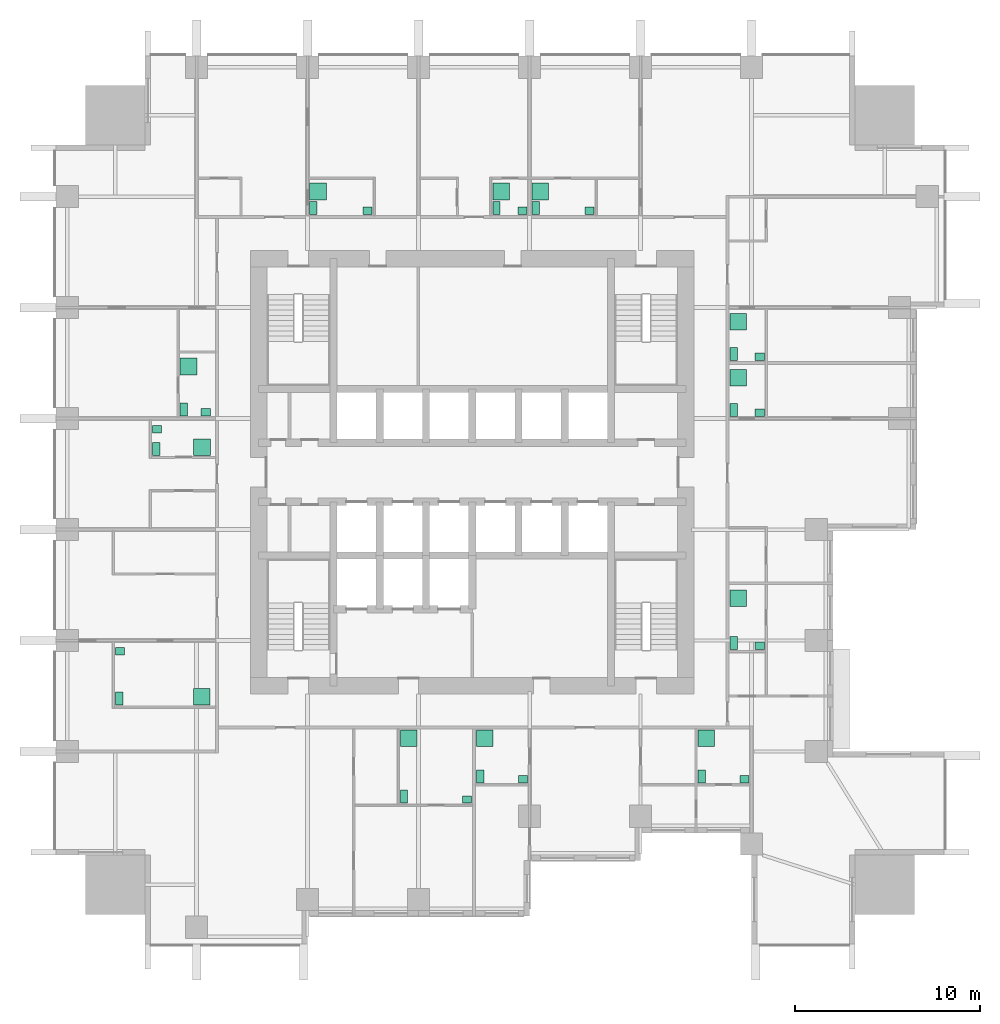
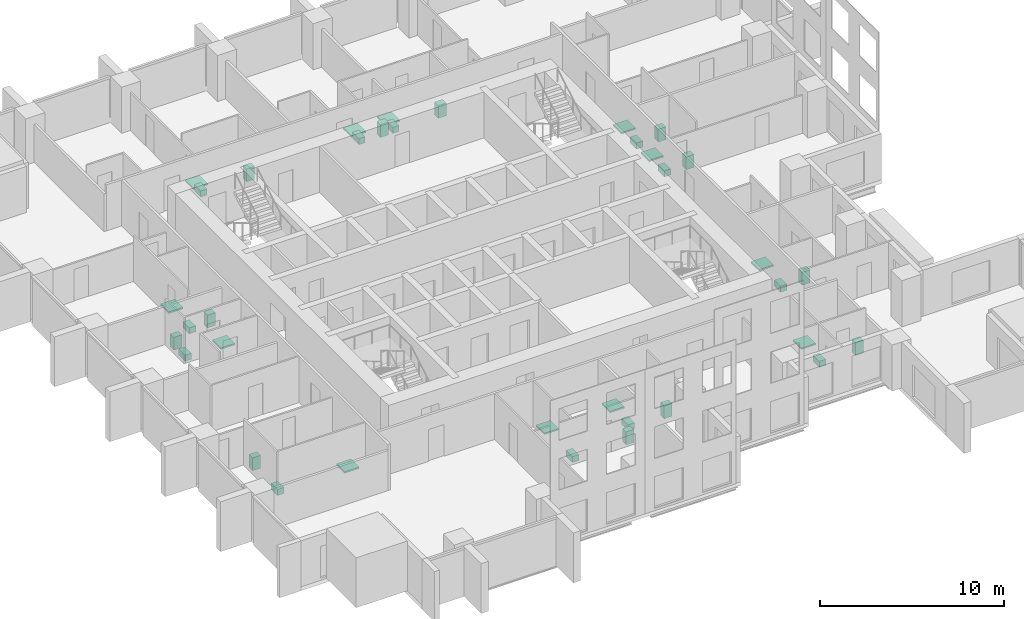
# One storey, part 11 of 11: 36 sanitary terminals.
"""IFC4 building model written with IfcOpenShell, lengths in metres."""

import ifcopenshell
import ifcopenshell.guid

model = None  # the IFC model being written
_history = None  # IfcOwnerHistory: only IFC2X3 demands one
_inside = {}  # id of a spatial element -> (the spatial element, [elements in it])
_under = {}  # id of a project, library or spatial element -> (it, [spatial elements below it])
_declared = {}  # id of a project -> (the project, [libraries it declares])
_typed = {}  # id of a type object -> (the type object, [elements of that type])
_made_of = {}  # id of a material, layer set ... -> (it, [elements and type objects made of it])


def new_model(schema):
    """Start an empty IFC model of exactly this schema.

    Asked for "IFC4X3", IfcOpenShell would pick the latest addendum, in which some entities
    have other attributes; the version numbers below select the first issue.
    IFC2X3 requires an IfcOwnerHistory on every rooted entity: one is made here for all.
    """
    global model, _history
    if schema == "IFC4X3":
        model = ifcopenshell.file(schema_version=(4, 3, 0, 0))
    else:
        model = ifcopenshell.file(schema=schema)
    _inside.clear()
    _under.clear()
    _declared.clear()
    _typed.clear()
    _made_of.clear()
    _history = None
    if model.schema == "IFC2X3":
        org = make("IfcOrganization", Name="unknown")
        user = make(
            "IfcPersonAndOrganization",
            ThePerson=make("IfcPerson", FamilyName="unknown"),
            TheOrganization=org,
        )
        app = make(
            "IfcApplication",
            ApplicationDeveloper=org,
            Version="unknown",
            ApplicationFullName="unknown",
            ApplicationIdentifier="unknown",
        )
        _history = make(
            "IfcOwnerHistory",
            OwningUser=user,
            OwningApplication=app,
            ChangeAction="ADDED",
            CreationDate=0,
        )
    return model


def make(cls, **values):
    """One entity of the class cls with the attributes given. An attribute that is None is left unset."""
    return model.create_entity(
        cls, **{name: value for name, value in values.items() if value is not None}
    )


def rooted(cls, **values):
    """An entity with a GlobalId (a new one), such as an element, a storey or a relation."""
    return make(cls, GlobalId=ifcopenshell.guid.new(), OwnerHistory=_history, **values)


def si_unit(unit_type, name, prefix=None):
    """IfcSIUnit, for example si_unit("LENGTHUNIT", "METRE", prefix="MILLI")."""
    return make("IfcSIUnit", UnitType=unit_type, Prefix=prefix, Name=name)


def assignment(units):
    """IfcUnitAssignment: the units of a project."""
    return None if units is None else make("IfcUnitAssignment", Units=units)


def point(xyz):
    """IfcCartesianPoint."""
    return None if xyz is None else make("IfcCartesianPoint", Coordinates=xyz)


def direction(xyz):
    """IfcDirection."""
    return None if xyz is None else make("IfcDirection", DirectionRatios=xyz)


def frame(location, z_axis=None, x_axis=None):
    """IfcAxis2Placement3D, a coordinate frame: its origin and axes. An axis left out is left unset."""
    return make(
        "IfcAxis2Placement3D",
        Location=point(location),
        Axis=direction(z_axis),
        RefDirection=direction(x_axis),
    )


def frame_2d(location, x_axis=None):
    """IfcAxis2Placement2D, a coordinate frame in the plane: its origin and x axis."""
    return make(
        "IfcAxis2Placement2D", Location=point(location), RefDirection=direction(x_axis)
    )


def origin():
    """The frame at (0, 0, 0) with its axes left unset."""
    return frame((0.0, 0.0, 0.0))


def origin_2d():
    """The frame at (0, 0) in the plane with its x axis left unset."""
    return frame_2d((0.0, 0.0))


def place(relative_to, where):
    """IfcLocalPlacement: puts the frame where relative to a parent placement (None: the world)."""
    return make(
        "IfcLocalPlacement", PlacementRelTo=relative_to, RelativePlacement=where
    )


def context(
    kind, dimensions, precision=None, world=None, true_north=None, identifier=None
):
    """IfcGeometricRepresentationContext, for example the 3D "Model" context."""
    return make(
        "IfcGeometricRepresentationContext",
        ContextIdentifier=identifier,
        ContextType=kind,
        CoordinateSpaceDimension=dimensions,
        Precision=precision,
        WorldCoordinateSystem=world,
        TrueNorth=true_north,
    )


def subcontext(parent, identifier, kind, view, scale=None):
    """IfcGeometricRepresentationSubContext, for example "Body" below "Model"."""
    return make(
        "IfcGeometricRepresentationSubContext",
        ContextIdentifier=identifier,
        ContextType=kind,
        ParentContext=parent,
        TargetScale=scale,
        TargetView=view,
    )


def project(units=None, contexts=None):
    """IfcProject with its units and contexts."""
    return rooted(
        "IfcProject",
        Name="project",
        RepresentationContexts=contexts,
        UnitsInContext=assignment(units),
    )


def spatial(cls, under=None, at=None, **own):
    """A site, building, storey or space (cls), placed at a placement, below another one or the project."""
    s = rooted(cls, ObjectPlacement=at, **own)
    if under is not None:
        _under.setdefault(under.id(), (under, []))[1].append(s)
    return s


def profile(cls, at=None, kind="AREA", **sizes):
    """A parametric profile (cls). Its sizes go by their IFC names, for example OverallWidth=200.0."""
    return make(cls, ProfileType=kind, Position=at, **sizes)


def rectangle(**sizes):
    """IfcRectangleProfileDef."""
    return profile("IfcRectangleProfileDef", **sizes)


def extrude(swept, where, along, depth):
    """IfcExtrudedAreaSolid: the profile swept, set in the frame where, extruded along a direction by depth."""
    return make(
        "IfcExtrudedAreaSolid",
        SweptArea=swept,
        Position=where,
        ExtrudedDirection=direction(along),
        Depth=depth,
    )


def shape(context_of_items, identifier, shape_type, items):
    """IfcShapeRepresentation: the items that make up one representation, for example the "Body"."""
    return make(
        "IfcShapeRepresentation",
        ContextOfItems=context_of_items,
        RepresentationIdentifier=identifier,
        RepresentationType=shape_type,
        Items=items,
    )


def made_of(thing, what):
    """Note that an element or type object is made of a material, layer set ...; save() writes the relation."""
    if what is not None:
        _made_of.setdefault(what.id(), (what, []))[1].append(thing)
    return thing


def element(
    cls,
    number,
    at=None,
    inside=None,
    cuts=None,
    type_object=None,
    material=None,
    context=None,
    identifier="Body",
    shape_type=None,
    held_by="IfcProductDefinitionShape",
    body=None,
    shapes=None,
    **own,
):
    """One element of the class cls, such as IfcWall. Its Tag is "e" and its number.

    at: its placement. inside: the storey or other place that contains it. cuts: it is an
    opening in that element (IfcRelVoidsElement). A single representation is given by context,
    identifier, shape_type and body (its items); several are given by shapes. held_by: the class
    of the entity that holds the representations. save() writes the other relations.
    """
    e = rooted(cls, Tag="e%d" % number, ObjectPlacement=at, **own)
    if body is not None:
        shapes = [shape(context, identifier, shape_type, body)]
    if shapes is not None:
        e.Representation = make(held_by, Representations=shapes)
    if inside is not None:
        _inside.setdefault(inside.id(), (inside, []))[1].append(e)
    if cuts is not None:
        rooted(
            "IfcRelVoidsElement", RelatingBuildingElement=cuts, RelatedOpeningElement=e
        )
    if type_object is not None:
        _typed.setdefault(type_object.id(), (type_object, []))[1].append(e)
    return made_of(e, material)


def aggregate(whole, parts):
    """IfcRelAggregates: a whole, such as a stair, and the parts it consists of."""
    return rooted("IfcRelAggregates", RelatingObject=whole, RelatedObjects=parts)


def save(model, path):
    """Write the relations noted so far, then the file.

    IfcRelAggregates (storeys below a building ...), IfcRelContainedInSpatialStructure (elements
    in a storey), IfcRelDefinesByType, IfcRelAssociatesMaterial and IfcRelDeclares: one each for
    every whole, place, type object, material and project.
    """
    for whole, parts in _under.values():
        aggregate(whole, parts)
    for where, things in _inside.values():
        rooted(
            "IfcRelContainedInSpatialStructure",
            RelatedElements=things,
            RelatingStructure=where,
        )
    for kind, things in _typed.values():
        rooted("IfcRelDefinesByType", RelatedObjects=things, RelatingType=kind)
    for what, things in _made_of.values():
        rooted("IfcRelAssociatesMaterial", RelatedObjects=things, RelatingMaterial=what)
    for by, libraries in _declared.values():
        rooted("IfcRelDeclares", RelatingContext=by, RelatedDefinitions=libraries)
    model.write(path)


model = new_model("IFC4")

# Units and contexts
model_context = context("Model", 3, precision=1e-05, world=origin(), true_north=direction((0.0, 1.0)))
body_context = subcontext(model_context, "Body", "Model", "MODEL_VIEW")
ifc_project = project(units=[si_unit("LENGTHUNIT", "METRE"), si_unit("AREAUNIT", "SQUARE_METRE"), si_unit("VOLUMEUNIT", "CUBIC_METRE"), si_unit("PLANEANGLEUNIT", "RADIAN"), si_unit("MASSUNIT", "GRAM", prefix="KILO")], contexts=[model_context])

# Site, building, storey
site_placement = place(None, origin())
site = spatial("IfcSite", under=ifc_project, at=site_placement, CompositionType="ELEMENT")
building_placement = place(site_placement, origin())
building = spatial("IfcBuilding", under=site, at=building_placement, Name="Amberfall Residences", CompositionType="ELEMENT")
storey_placement = place(building_placement, frame((0.0, 0.0, 59.800048828125)))
storey = spatial("IfcBuildingStorey", under=building, at=storey_placement, Name="L16", CompositionType="ELEMENT", Elevation=59.800048828125)

# Sanitary terminals
sanitary_terminal_1_placement = place(storey_placement, frame((70.81005859375, 27.9599609375, 0.0), z_axis=(0.0, 0.0, 1.0), x_axis=(1.0, 0.0, 0.0)))
element("IfcSanitaryTerminal", 1, at=sanitary_terminal_1_placement, inside=storey, Name="Water closet 1601", PredefinedType="TOILETPAN", context=body_context, shape_type="SweptSolid", body=[
    extrude(rectangle(XDim=0.39990234375, YDim=0.699951171875, at=origin_2d()), origin(), (0.0, 0.0, 1.0), 0.39990234375),
])
sanitary_terminal_2_placement = place(storey_placement, frame((74.215087890625, 27.81005859375, 0.0), z_axis=(0.0, 0.0, 1.0), x_axis=(1.0, 0.0, 0.0)))
element("IfcSanitaryTerminal", 2, at=sanitary_terminal_2_placement, inside=storey, Name="Basin 1601", PredefinedType="WASHHANDBASIN", context=body_context, shape_type="SweptSolid", body=[
    extrude(rectangle(XDim=0.5, YDim=0.39990234375, at=origin_2d()), origin(), (0.0, 0.0, 1.0), 0.85009765625),
])
sanitary_terminal_3_placement = place(storey_placement, frame((71.06005859375, 31.114990234375, 0.0), z_axis=(0.0, 0.0, 1.0), x_axis=(1.0, 0.0, 0.0)))
element("IfcSanitaryTerminal", 3, at=sanitary_terminal_3_placement, inside=storey, Name="Shower tray 1601", PredefinedType="SHOWER", context=body_context, shape_type="SweptSolid", body=[
    extrude(rectangle(XDim=0.89990234375, YDim=0.89990234375, at=origin_2d()), origin(), (0.0, 0.0, 1.0), 0.10009765625),
])
sanitary_terminal_4_placement = place(storey_placement, frame((74.93505859375, 29.06005859375, 0.0), z_axis=(0.0, 0.0, 1.0), x_axis=(1.0, 0.0, 0.0)))
element("IfcSanitaryTerminal", 4, at=sanitary_terminal_4_placement, inside=storey, Name="Water closet 1602", PredefinedType="TOILETPAN", context=body_context, shape_type="SweptSolid", body=[
    extrude(rectangle(XDim=0.39990234375, YDim=0.699951171875, at=origin_2d()), origin(), (0.0, 0.0, 1.0), 0.39990234375),
])
sanitary_terminal_5_placement = place(storey_placement, frame((77.239990234375, 28.909912109375, 0.0), z_axis=(0.0, 0.0, 1.0), x_axis=(1.0, 0.0, 0.0)))
element("IfcSanitaryTerminal", 5, at=sanitary_terminal_5_placement, inside=storey, Name="Basin 1602", PredefinedType="WASHHANDBASIN", context=body_context, shape_type="SweptSolid", body=[
    extrude(rectangle(XDim=0.5, YDim=0.39990234375, at=origin_2d()), origin(), (0.0, 0.0, 1.0), 0.85009765625),
])
sanitary_terminal_6_placement = place(storey_placement, frame((75.18505859375, 31.114990234375, 0.0), z_axis=(0.0, 0.0, 1.0), x_axis=(1.0, 0.0, 0.0)))
element("IfcSanitaryTerminal", 6, at=sanitary_terminal_6_placement, inside=storey, Name="Shower tray 1602", PredefinedType="SHOWER", context=body_context, shape_type="SweptSolid", body=[
    extrude(rectangle(XDim=0.89990234375, YDim=0.89990234375, at=origin_2d()), origin(), (0.0, 0.0, 1.0), 0.10009765625),
])
sanitary_terminal_7_placement = place(storey_placement, frame((86.909912109375, 29.06005859375, 0.0), z_axis=(0.0, 0.0, 1.0), x_axis=(1.0, 0.0, 0.0)))
element("IfcSanitaryTerminal", 7, at=sanitary_terminal_7_placement, inside=storey, Name="Water closet 1602", PredefinedType="TOILETPAN", context=body_context, shape_type="SweptSolid", body=[
    extrude(rectangle(XDim=0.39990234375, YDim=0.699951171875, at=origin_2d()), origin(), (0.0, 0.0, 1.0), 0.39990234375),
])
sanitary_terminal_8_placement = place(storey_placement, frame((89.215087890625, 28.909912109375, 0.0), z_axis=(0.0, 0.0, 1.0), x_axis=(1.0, 0.0, 0.0)))
element("IfcSanitaryTerminal", 8, at=sanitary_terminal_8_placement, inside=storey, Name="Basin 1602", PredefinedType="WASHHANDBASIN", context=body_context, shape_type="SweptSolid", body=[
    extrude(rectangle(XDim=0.5, YDim=0.39990234375, at=origin_2d()), origin(), (0.0, 0.0, 1.0), 0.85009765625),
])
sanitary_terminal_9_placement = place(storey_placement, frame((87.159912109375, 31.114990234375, 0.0), z_axis=(0.0, 0.0, 1.0), x_axis=(1.0, 0.0, 0.0)))
element("IfcSanitaryTerminal", 9, at=sanitary_terminal_9_placement, inside=storey, Name="Shower tray 1602", PredefinedType="SHOWER", context=body_context, shape_type="SweptSolid", body=[
    extrude(rectangle(XDim=0.89990234375, YDim=0.89990234375, at=origin_2d()), origin(), (0.0, 0.0, 1.0), 0.10009765625),
])
sanitary_terminal_10_placement = place(storey_placement, frame((88.635009765625, 36.260009765625, 0.0), z_axis=(0.0, 0.0, 1.0), x_axis=(1.0, 0.0, 0.0)))
element("IfcSanitaryTerminal", 10, at=sanitary_terminal_10_placement, inside=storey, Name="Water closet 1603", PredefinedType="TOILETPAN", context=body_context, shape_type="SweptSolid", body=[
    extrude(rectangle(XDim=0.39990234375, YDim=0.699951171875, at=origin_2d()), origin(), (0.0, 0.0, 1.0), 0.39990234375),
])
sanitary_terminal_11_placement = place(storey_placement, frame((90.0400390625, 36.110107421875, 0.0), z_axis=(0.0, 0.0, 1.0), x_axis=(1.0, 0.0, 0.0)))
element("IfcSanitaryTerminal", 11, at=sanitary_terminal_11_placement, inside=storey, Name="Basin 1603", PredefinedType="WASHHANDBASIN", context=body_context, shape_type="SweptSolid", body=[
    extrude(rectangle(XDim=0.5, YDim=0.39990234375, at=origin_2d()), origin(), (0.0, 0.0, 1.0), 0.85009765625),
])
sanitary_terminal_12_placement = place(storey_placement, frame((88.885009765625, 38.6826171875, 0.0), z_axis=(0.0, 0.0, 1.0), x_axis=(1.0, 0.0, 0.0)))
element("IfcSanitaryTerminal", 12, at=sanitary_terminal_12_placement, inside=storey, Name="Shower tray 1603", PredefinedType="SHOWER", context=body_context, shape_type="SweptSolid", body=[
    extrude(rectangle(XDim=0.89990234375, YDim=0.89990234375, at=origin_2d()), origin(), (0.0, 0.0, 1.0), 0.10009765625),
])
sanitary_terminal_13_placement = place(storey_placement, frame((88.635009765625, 48.860107421875, 0.0), z_axis=(0.0, 0.0, 1.0), x_axis=(1.0, 0.0, 0.0)))
element("IfcSanitaryTerminal", 13, at=sanitary_terminal_13_placement, inside=storey, Name="Water closet 1604", PredefinedType="TOILETPAN", context=body_context, shape_type="SweptSolid", body=[
    extrude(rectangle(XDim=0.39990234375, YDim=0.699951171875, at=origin_2d()), origin(), (0.0, 0.0, 1.0), 0.39990234375),
])
sanitary_terminal_14_placement = place(storey_placement, frame((90.0400390625, 48.7099609375, 0.0), z_axis=(0.0, 0.0, 1.0), x_axis=(1.0, 0.0, 0.0)))
element("IfcSanitaryTerminal", 14, at=sanitary_terminal_14_placement, inside=storey, Name="Basin 1604", PredefinedType="WASHHANDBASIN", context=body_context, shape_type="SweptSolid", body=[
    extrude(rectangle(XDim=0.5, YDim=0.39990234375, at=origin_2d()), origin(), (0.0, 0.0, 1.0), 0.85009765625),
])
sanitary_terminal_15_placement = place(storey_placement, frame((88.885009765625, 50.60888671875, 0.0), z_axis=(0.0, 0.0, 1.0), x_axis=(1.0, 0.0, 0.0)))
element("IfcSanitaryTerminal", 15, at=sanitary_terminal_15_placement, inside=storey, Name="Shower tray 1604", PredefinedType="SHOWER", context=body_context, shape_type="SweptSolid", body=[
    extrude(rectangle(XDim=0.89990234375, YDim=0.89990234375, at=origin_2d()), origin(), (0.0, 0.0, 1.0), 0.10009765625),
])
sanitary_terminal_16_placement = place(storey_placement, frame((88.635009765625, 51.885009765625, 0.0), z_axis=(0.0, 0.0, 1.0), x_axis=(1.0, 0.0, 0.0)))
element("IfcSanitaryTerminal", 16, at=sanitary_terminal_16_placement, inside=storey, Name="Water closet 1605", PredefinedType="TOILETPAN", context=body_context, shape_type="SweptSolid", body=[
    extrude(rectangle(XDim=0.39990234375, YDim=0.699951171875, at=origin_2d()), origin(), (0.0, 0.0, 1.0), 0.39990234375),
])
sanitary_terminal_17_placement = place(storey_placement, frame((90.0400390625, 51.735107421875, 0.0), z_axis=(0.0, 0.0, 1.0), x_axis=(1.0, 0.0, 0.0)))
element("IfcSanitaryTerminal", 17, at=sanitary_terminal_17_placement, inside=storey, Name="Basin 1605", PredefinedType="WASHHANDBASIN", context=body_context, shape_type="SweptSolid", body=[
    extrude(rectangle(XDim=0.5, YDim=0.39990234375, at=origin_2d()), origin(), (0.0, 0.0, 1.0), 0.85009765625),
])
sanitary_terminal_18_placement = place(storey_placement, frame((88.885009765625, 53.6337890625, 0.0), z_axis=(0.0, 0.0, 1.0), x_axis=(1.0, 0.0, 0.0)))
element("IfcSanitaryTerminal", 18, at=sanitary_terminal_18_placement, inside=storey, Name="Shower tray 1605", PredefinedType="SHOWER", context=body_context, shape_type="SweptSolid", body=[
    extrude(rectangle(XDim=0.89990234375, YDim=0.89990234375, at=origin_2d()), origin(), (0.0, 0.0, 1.0), 0.10009765625),
])
sanitary_terminal_19_placement = place(storey_placement, frame((65.909912109375, 59.784912109375, 0.0), z_axis=(0.0, 0.0, 1.0), x_axis=(1.0, 0.0, 0.0)))
element("IfcSanitaryTerminal", 19, at=sanitary_terminal_19_placement, inside=storey, Name="Water closet 1606", PredefinedType="TOILETPAN", context=body_context, shape_type="SweptSolid", body=[
    extrude(rectangle(XDim=0.39990234375, YDim=0.699951171875, at=origin_2d()), origin(), (0.0, 0.0, 1.0), 0.39990234375),
])
sanitary_terminal_20_placement = place(storey_placement, frame((68.840087890625, 59.635009765625, 0.0), z_axis=(0.0, 0.0, 1.0), x_axis=(1.0, 0.0, 0.0)))
element("IfcSanitaryTerminal", 20, at=sanitary_terminal_20_placement, inside=storey, Name="Basin 1606", PredefinedType="WASHHANDBASIN", context=body_context, shape_type="SweptSolid", body=[
    extrude(rectangle(XDim=0.5, YDim=0.39990234375, at=origin_2d()), origin(), (0.0, 0.0, 1.0), 0.85009765625),
])
sanitary_terminal_21_placement = place(storey_placement, frame((66.159912109375, 60.680908203125, 0.0), z_axis=(0.0, 0.0, 1.0), x_axis=(1.0, 0.0, 0.0)))
element("IfcSanitaryTerminal", 21, at=sanitary_terminal_21_placement, inside=storey, Name="Shower tray 1606", PredefinedType="SHOWER", context=body_context, shape_type="SweptSolid", body=[
    extrude(rectangle(XDim=0.89990234375, YDim=0.89990234375, at=origin_2d()), origin(), (0.0, 0.0, 1.0), 0.10009765625),
])
sanitary_terminal_22_placement = place(storey_placement, frame((75.81005859375, 59.784912109375, 0.0), z_axis=(0.0, 0.0, 1.0), x_axis=(1.0, 0.0, 0.0)))
element("IfcSanitaryTerminal", 22, at=sanitary_terminal_22_placement, inside=storey, Name="Water closet 1607", PredefinedType="TOILETPAN", context=body_context, shape_type="SweptSolid", body=[
    extrude(rectangle(XDim=0.39990234375, YDim=0.699951171875, at=origin_2d()), origin(), (0.0, 0.0, 1.0), 0.39990234375),
])
sanitary_terminal_23_placement = place(storey_placement, frame((77.215087890625, 59.635009765625, 0.0), z_axis=(0.0, 0.0, 1.0), x_axis=(1.0, 0.0, 0.0)))
element("IfcSanitaryTerminal", 23, at=sanitary_terminal_23_placement, inside=storey, Name="Basin 1607", PredefinedType="WASHHANDBASIN", context=body_context, shape_type="SweptSolid", body=[
    extrude(rectangle(XDim=0.5, YDim=0.39990234375, at=origin_2d()), origin(), (0.0, 0.0, 1.0), 0.85009765625),
])
sanitary_terminal_24_placement = place(storey_placement, frame((76.06005859375, 60.680908203125, 0.0), z_axis=(0.0, 0.0, 1.0), x_axis=(1.0, 0.0, 0.0)))
element("IfcSanitaryTerminal", 24, at=sanitary_terminal_24_placement, inside=storey, Name="Shower tray 1607", PredefinedType="SHOWER", context=body_context, shape_type="SweptSolid", body=[
    extrude(rectangle(XDim=0.89990234375, YDim=0.89990234375, at=origin_2d()), origin(), (0.0, 0.0, 1.0), 0.10009765625),
])
sanitary_terminal_25_placement = place(storey_placement, frame((77.93505859375, 59.784912109375, 0.0), z_axis=(0.0, 0.0, 1.0), x_axis=(1.0, 0.0, 0.0)))
element("IfcSanitaryTerminal", 25, at=sanitary_terminal_25_placement, inside=storey, Name="Water closet 1608", PredefinedType="TOILETPAN", context=body_context, shape_type="SweptSolid", body=[
    extrude(rectangle(XDim=0.39990234375, YDim=0.699951171875, at=origin_2d()), origin(), (0.0, 0.0, 1.0), 0.39990234375),
])
sanitary_terminal_26_placement = place(storey_placement, frame((80.840087890625, 59.635009765625, 0.0), z_axis=(0.0, 0.0, 1.0), x_axis=(1.0, 0.0, 0.0)))
element("IfcSanitaryTerminal", 26, at=sanitary_terminal_26_placement, inside=storey, Name="Basin 1608", PredefinedType="WASHHANDBASIN", context=body_context, shape_type="SweptSolid", body=[
    extrude(rectangle(XDim=0.5, YDim=0.39990234375, at=origin_2d()), origin(), (0.0, 0.0, 1.0), 0.85009765625),
])
sanitary_terminal_27_placement = place(storey_placement, frame((78.18505859375, 60.680908203125, 0.0), z_axis=(0.0, 0.0, 1.0), x_axis=(1.0, 0.0, 0.0)))
element("IfcSanitaryTerminal", 27, at=sanitary_terminal_27_placement, inside=storey, Name="Shower tray 1608", PredefinedType="SHOWER", context=body_context, shape_type="SweptSolid", body=[
    extrude(rectangle(XDim=0.89990234375, YDim=0.89990234375, at=origin_2d()), origin(), (0.0, 0.0, 1.0), 0.10009765625),
])
sanitary_terminal_28_placement = place(storey_placement, frame((55.409912109375, 33.260009765625, 0.0), z_axis=(0.0, 0.0, 1.0), x_axis=(1.0, 0.0, 0.0)))
element("IfcSanitaryTerminal", 28, at=sanitary_terminal_28_placement, inside=storey, Name="Water closet 1609", PredefinedType="TOILETPAN", context=body_context, shape_type="SweptSolid", body=[
    extrude(rectangle(XDim=0.39990234375, YDim=0.699951171875, at=origin_2d()), origin(), (0.0, 0.0, 1.0), 0.39990234375),
])
sanitary_terminal_29_placement = place(storey_placement, frame((55.4599609375, 35.819091796875, 0.0), z_axis=(0.0, 0.0, 1.0), x_axis=(1.0, 0.0, 0.0)))
element("IfcSanitaryTerminal", 29, at=sanitary_terminal_29_placement, inside=storey, Name="Basin 1609", PredefinedType="WASHHANDBASIN", context=body_context, shape_type="SweptSolid", body=[
    extrude(rectangle(XDim=0.5, YDim=0.39990234375, at=origin_2d()), origin(), (0.0, 0.0, 1.0), 0.85009765625),
])
sanitary_terminal_30_placement = place(storey_placement, frame((59.867431640625, 33.360107421875, 0.0), z_axis=(0.0, 0.0, 1.0), x_axis=(1.0, 0.0, 0.0)))
element("IfcSanitaryTerminal", 30, at=sanitary_terminal_30_placement, inside=storey, Name="Shower tray 1609", PredefinedType="SHOWER", context=body_context, shape_type="SweptSolid", body=[
    extrude(rectangle(XDim=0.89990234375, YDim=0.89990234375, at=origin_2d()), origin(), (0.0, 0.0, 1.0), 0.10009765625),
])
sanitary_terminal_31_placement = place(storey_placement, frame((57.409912109375, 46.760009765625, 0.0), z_axis=(0.0, 0.0, 1.0), x_axis=(1.0, 0.0, 0.0)))
element("IfcSanitaryTerminal", 31, at=sanitary_terminal_31_placement, inside=storey, Name="Water closet 1610", PredefinedType="TOILETPAN", context=body_context, shape_type="SweptSolid", body=[
    extrude(rectangle(XDim=0.39990234375, YDim=0.699951171875, at=origin_2d()), origin(), (0.0, 0.0, 1.0), 0.39990234375),
])
sanitary_terminal_32_placement = place(storey_placement, frame((57.4599609375, 47.822509765625, 0.0), z_axis=(0.0, 0.0, 1.0), x_axis=(1.0, 0.0, 0.0)))
element("IfcSanitaryTerminal", 32, at=sanitary_terminal_32_placement, inside=storey, Name="Basin 1610", PredefinedType="WASHHANDBASIN", context=body_context, shape_type="SweptSolid", body=[
    extrude(rectangle(XDim=0.5, YDim=0.39990234375, at=origin_2d()), origin(), (0.0, 0.0, 1.0), 0.85009765625),
])
sanitary_terminal_33_placement = place(storey_placement, frame((59.891845703125, 46.860107421875, 0.0), z_axis=(0.0, 0.0, 1.0), x_axis=(1.0, 0.0, 0.0)))
element("IfcSanitaryTerminal", 33, at=sanitary_terminal_33_placement, inside=storey, Name="Shower tray 1610", PredefinedType="SHOWER", context=body_context, shape_type="SweptSolid", body=[
    extrude(rectangle(XDim=0.89990234375, YDim=0.89990234375, at=origin_2d()), origin(), (0.0, 0.0, 1.0), 0.10009765625),
])
sanitary_terminal_34_placement = place(storey_placement, frame((58.909912109375, 48.885009765625, 0.0), z_axis=(0.0, 0.0, 1.0), x_axis=(1.0, 0.0, 0.0)))
element("IfcSanitaryTerminal", 34, at=sanitary_terminal_34_placement, inside=storey, Name="Water closet 1611", PredefinedType="TOILETPAN", context=body_context, shape_type="SweptSolid", body=[
    extrude(rectangle(XDim=0.39990234375, YDim=0.699951171875, at=origin_2d()), origin(), (0.0, 0.0, 1.0), 0.39990234375),
])
sanitary_terminal_35_placement = place(storey_placement, frame((60.089111328125, 48.735107421875, 0.0), z_axis=(0.0, 0.0, 1.0), x_axis=(1.0, 0.0, 0.0)))
element("IfcSanitaryTerminal", 35, at=sanitary_terminal_35_placement, inside=storey, Name="Basin 1611", PredefinedType="WASHHANDBASIN", context=body_context, shape_type="SweptSolid", body=[
    extrude(rectangle(XDim=0.5, YDim=0.39990234375, at=origin_2d()), origin(), (0.0, 0.0, 1.0), 0.85009765625),
])
sanitary_terminal_36_placement = place(storey_placement, frame((59.159912109375, 51.216796875, 0.0), z_axis=(0.0, 0.0, 1.0), x_axis=(1.0, 0.0, 0.0)))
element("IfcSanitaryTerminal", 36, at=sanitary_terminal_36_placement, inside=storey, Name="Shower tray 1611", PredefinedType="SHOWER", context=body_context, shape_type="SweptSolid", body=[
    extrude(rectangle(XDim=0.89990234375, YDim=0.89990234375, at=origin_2d()), origin(), (0.0, 0.0, 1.0), 0.10009765625),
])

save(model, "model.ifc")
